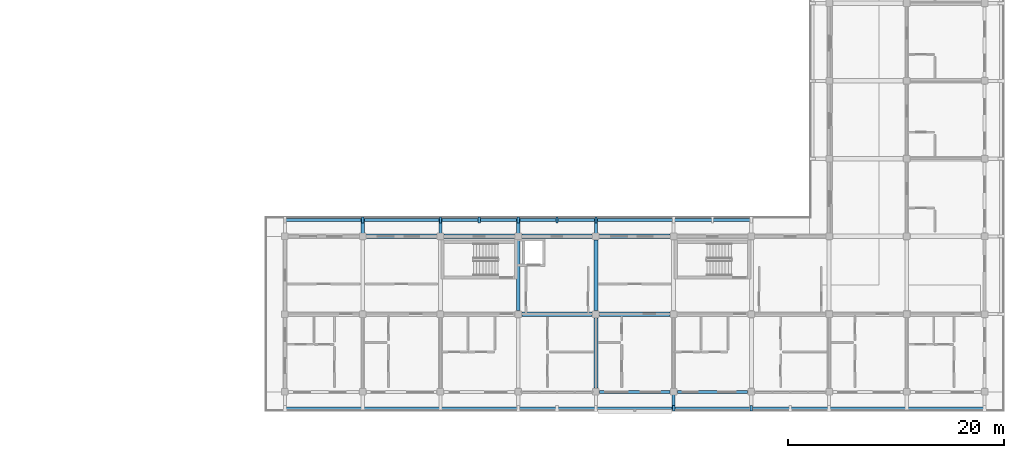
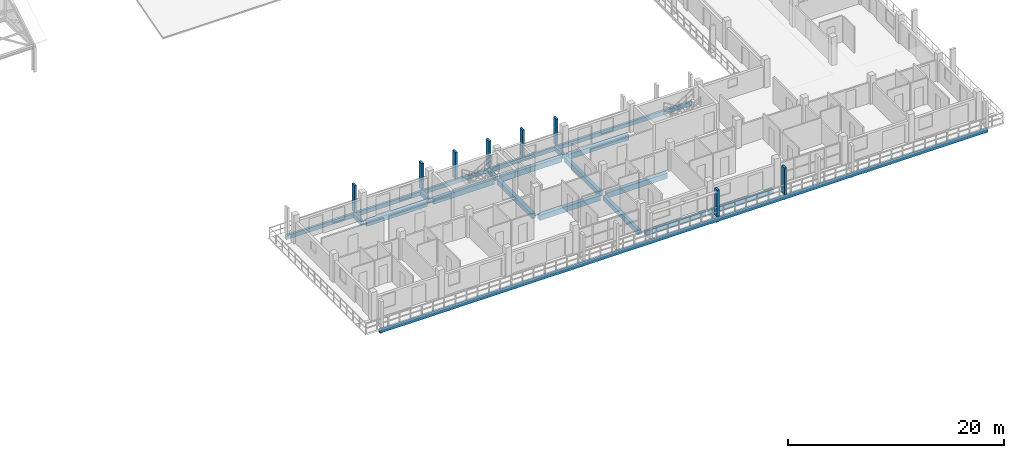
# One storey, part 78 of 157: 18 beams, 8 members.
"""IFC4 building model written with IfcOpenShell, lengths in metres."""

from ifc_helpers import new_model, si_unit, direction, frame, origin, origin_2d, place, context, subcontext, project, spatial, rectangle, extrude, material, material_profile, profile_set, type_object, element, save


model = new_model("IFC4")

# Units and contexts
model_context = context("Model", 3, precision=1e-05, world=origin(), true_north=direction((0.0, 1.0)))
body_context = subcontext(model_context, "Body", "Model", "MODEL_VIEW")
ifc_project = project(units=[si_unit("LENGTHUNIT", "METRE"), si_unit("AREAUNIT", "SQUARE_METRE"), si_unit("VOLUMEUNIT", "CUBIC_METRE"), si_unit("PLANEANGLEUNIT", "RADIAN"), si_unit("MASSUNIT", "GRAM", prefix="KILO")], contexts=[model_context])

# Site, building, storey
site_placement = place(None, origin())
site = spatial("IfcSite", under=ifc_project, at=site_placement, CompositionType="ELEMENT")
building_placement = place(site_placement, origin())
building = spatial("IfcBuilding", under=site, at=building_placement, Name="Suanplinth Sawtooth Commons", CompositionType="ELEMENT")
storey_placement = place(building_placement, frame((0.0, 0.0, 9.0)))
storey = spatial("IfcBuildingStorey", under=building, at=storey_placement, Name="L02", CompositionType="ELEMENT", Elevation=9.0)

# Beams
ifc_material_1 = material(Name="Precast concrete C40/50", Category="concrete")
ifc_material_profile_1 = material_profile(ifc_material_1, rectangle(XDim=0.39990234375, YDim=0.60009765625, at=origin_2d()), Name="PC-GDR 400x600")
ifc_profile_set_1 = profile_set([ifc_material_profile_1], Name="Precast concrete C40/50")
beam_type_1 = type_object("IfcBeamType", Name="B-05", PredefinedType="USERDEFINED", material=ifc_profile_set_1)
for number, where, z_axis, x_axis, name in (
    (1, (129.949951171875, 14.39990234375, -0.550048828125), (1.0, 0.0, 0.0), (0.0, 1.0, 0.0), "BMX-L02-C-18-2"),
    (2, (137.14990234375, 14.39990234375, -0.550048828125), (1.0, 0.0, 0.0), (0.0, 1.0, 0.0), "BMX-L02-C-19-2"),
    (3, (144.35009765625, 7.199951171875, -0.550048828125), (1.0, 0.0, 0.0), (0.0, 1.0, 0.0), "BMX-L02-C-20-1"),
    (4, (144.35009765625, 14.39990234375, -0.550048828125), (1.0, 0.0, 0.0), (0.0, 1.0, 0.0), "BMX-L02-C-20-2"),
    (5, (151.550048828125, 7.199951171875, -0.550048828125), (1.0, 0.0, 0.0), (0.0, 1.0, 0.0), "BMX-L02-C-21-1"),
    (6, (151.550048828125, 14.39990234375, -0.550048828125), (1.0, 0.0, 0.0), (0.0, 1.0, 0.0), "BMX-L02-C-21-2"),
):
    element("IfcBeam", number, at=place(storey_placement, frame(where, z_axis=z_axis, x_axis=x_axis)), inside=storey, type_object=beam_type_1, Name=name, ObjectType="GIRDER", PredefinedType="USERDEFINED", context=body_context, shape_type="SweptSolid", body=[
        extrude(rectangle(XDim=0.39990234375, YDim=0.60009765625, at=origin_2d()), origin(), (0.0, 0.0, 1.0), 6.5),
    ])
ifc_material_profile_2 = material_profile(ifc_material_1, rectangle(XDim=0.35009765625, YDim=0.550048828125, at=origin_2d()), Name="PC-BM 350x550")
ifc_profile_set_2 = profile_set([ifc_material_profile_2], Name="Precast concrete C40/50")
beam_type_2 = type_object("IfcBeamType", Name="B-06", PredefinedType="BEAM", material=ifc_profile_set_2)
for number, where, z_axis, x_axis, name in (
    (7, (144.0, 7.550048828125, -0.52490234375), (0.0, 1.0, 0.0), (-1.0, 0.0, 0.0), "BMY-L02-C-20-1"),
    (8, (151.199951171875, 0.35009765625, -0.52490234375), (0.0, 1.0, 0.0), (-1.0, 0.0, 0.0), "BMY-L02-C-21-0"),
    (9, (151.199951171875, 7.550048828125, -0.52490234375), (0.0, 1.0, 0.0), (-1.0, 0.0, 0.0), "BMY-L02-C-21-1"),
):
    element("IfcBeam", number, at=place(storey_placement, frame(where, z_axis=z_axis, x_axis=x_axis)), inside=storey, type_object=beam_type_2, Name=name, PredefinedType="BEAM", context=body_context, shape_type="SweptSolid", body=[
        extrude(rectangle(XDim=0.35009765625, YDim=0.550048828125, at=origin_2d()), origin(), (0.0, 0.0, 1.0), 6.5),
    ])
ifc_material_profile_3 = material_profile(ifc_material_1, rectangle(XDim=0.300048828125, YDim=0.5, at=origin_2d()), Name="PC-BM 300x500")
ifc_profile_set_3 = profile_set([ifc_material_profile_3], Name="Precast concrete C40/50")
beam_type_3 = type_object("IfcBeamType", Name="B-07", PredefinedType="BEAM", material=ifc_profile_set_3)
beam_1_placement = place(storey_placement, frame((158.39990234375, 0.0, -0.429931640625), z_axis=(0.0, -1.0, 0.0), x_axis=(1.0, 0.0, 0.0)))
element("IfcBeam", 10, at=beam_1_placement, inside=storey, type_object=beam_type_3, Name="Balcony Outrigger L02-C-S-22", PredefinedType="BEAM", context=body_context, shape_type="SweptSolid", body=[
    extrude(rectangle(XDim=0.300048828125, YDim=0.5, at=origin_2d()), origin(), (0.0, 0.0, 1.0), 1.639892578125),
])
for number, where, z_axis, x_axis, name in (
    (11, (129.60009765625, 14.39990234375, -0.425048828125), (0.0, 1.0, 0.0), (-1.0, 0.0, 0.0), "Balcony Outrigger L02-C-NC-18"),
    (12, (136.800048828125, 14.39990234375, -0.425048828125), (0.0, 1.0, 0.0), (-1.0, 0.0, 0.0), "Balcony Outrigger L02-C-NC-19"),
    (13, (144.0, 14.39990234375, -0.425048828125), (0.0, 1.0, 0.0), (-1.0, 0.0, 0.0), "Balcony Outrigger L02-C-NC-20"),
    (14, (151.199951171875, 14.39990234375, -0.425048828125), (0.0, 1.0, 0.0), (-1.0, 0.0, 0.0), "Balcony Outrigger L02-C-NC-21"),
):
    element("IfcBeam", number, at=place(storey_placement, frame(where, z_axis=z_axis, x_axis=x_axis)), inside=storey, type_object=beam_type_3, Name=name, PredefinedType="BEAM", context=body_context, shape_type="SweptSolid", body=[
        extrude(rectangle(XDim=0.300048828125, YDim=0.5, at=origin_2d()), origin(), (0.0, 0.0, 1.0), 1.64013671875),
    ])
ifc_material_profile_4 = material_profile(ifc_material_1, rectangle(XDim=0.280029296875, YDim=0.52001953125, at=origin_2d()), Name="PC-SP 280x520")
ifc_profile_set_4 = profile_set([ifc_material_profile_4], Name="Precast concrete C40/50")
beam_type_4 = type_object("IfcBeamType", Name="B-08", PredefinedType="SPANDREL", material=ifc_profile_set_4)
for number, where, z_axis, x_axis, name in (
    (15, (151.550048828125, 0.0, -0.510009765625), (1.0, 0.0, 0.0), (0.0, 1.0, 0.0), "BMX-L02-C-21-0"),
    (16, (158.75, 0.0, -0.510009765625), (1.0, 0.0, 0.0), (0.0, 1.0, 0.0), "BMX-L02-C-22-0"),
):
    element("IfcBeam", number, at=place(storey_placement, frame(where, z_axis=z_axis, x_axis=x_axis)), inside=storey, type_object=beam_type_4, Name=name, PredefinedType="SPANDREL", context=body_context, shape_type="SweptSolid", body=[
        extrude(rectangle(XDim=0.280029296875, YDim=0.52001953125, at=origin_2d()), origin(), (0.0, 0.0, 1.0), 6.5),
    ])
ifc_material_profile_5 = material_profile(ifc_material_1, rectangle(XDim=0.25, YDim=0.449951171875, at=origin_2d()), Name="PC-SP 250x450")
ifc_profile_set_5 = profile_set([ifc_material_profile_5], Name="Precast concrete C40/50")
beam_type_5 = type_object("IfcBeamType", Name="B-09", PredefinedType="SPANDREL", material=ifc_profile_set_5)
beam_2_placement = place(storey_placement, frame((122.25, -1.52001953125, -0.405029296875), z_axis=(1.0, 0.0, 0.0), x_axis=(0.0, 1.0, 0.0)))
element("IfcBeam", 17, at=beam_2_placement, inside=storey, type_object=beam_type_5, Name="Balcony Edge Fascia L02-C-S", PredefinedType="SPANDREL", context=body_context, shape_type="SweptSolid", body=[
    extrude(rectangle(XDim=0.25, YDim=0.449951171875, at=origin_2d()), origin(), (0.0, 0.0, 1.0), 65.10009765625),
])
beam_3_placement = place(storey_placement, frame((122.25, 15.919921875, -0.39990234375), z_axis=(1.0, 0.0, 0.0), x_axis=(0.0, 1.0, 0.0)))
element("IfcBeam", 18, at=beam_3_placement, inside=storey, type_object=beam_type_5, Name="Balcony Edge Fascia L02-C-NC", PredefinedType="SPANDREL", context=body_context, shape_type="SweptSolid", body=[
    extrude(rectangle(XDim=0.25, YDim=0.449951171875, at=origin_2d()), origin(), (0.0, 0.0, 1.0), 43.5),
])

# Members
ifc_material_2 = material(Name="Pigmented precast concrete C40/50", Category="concrete")
ifc_material_profile_6 = material_profile(ifc_material_2, rectangle(XDim=0.25, YDim=0.5400390625, at=origin_2d()), Name="PC-FIN 250x540")
ifc_profile_set_6 = profile_set([ifc_material_profile_6], Name="Pigmented precast concrete C40/50")
member_type_1 = type_object("IfcMemberType", Name="M-11", PredefinedType="USERDEFINED", material=ifc_profile_set_6)
for number, where, z_axis, x_axis, name in (
    (19, (158.39990234375, -1.52001953125, 0.0), (0.0, 0.0, 1.0), (1.0, 0.0, 0.0), "Upright Solar Blade L02-C-S-05"),
    (20, (165.60009765625, -1.52001953125, 0.0), (0.0, 0.0, 1.0), (1.0, 0.0, 0.0), "Upright Solar Blade L02-C-S-06"),
):
    element("IfcMember", number, at=place(storey_placement, frame(where, z_axis=z_axis, x_axis=x_axis)), inside=storey, type_object=member_type_1, Name=name, ObjectType="SHADING FIN", PredefinedType="USERDEFINED", context=body_context, shape_type="SweptSolid", body=[
        extrude(rectangle(XDim=0.25, YDim=0.5400390625, at=origin_2d()), origin(), (0.0, 0.0, 1.0), 3.030029296875),
    ])
ifc_material_profile_7 = material_profile(ifc_material_2, rectangle(XDim=0.2099609375, YDim=0.52001953125, at=origin_2d()), Name="PC-FIN 210x520")
ifc_profile_set_7 = profile_set([ifc_material_profile_7], Name="Pigmented precast concrete C40/50")
member_type_2 = type_object("IfcMemberType", Name="M-12", PredefinedType="USERDEFINED", material=ifc_profile_set_7)
for number, where, z_axis, x_axis, name in (
    (21, (129.60009765625, 15.919921875, 0.0), (0.0, 0.0, 1.0), (1.0, 0.0, 0.0), "Upright Solar Blade L02-C-NC-17"),
    (22, (136.800048828125, 15.919921875, 0.0), (0.0, 0.0, 1.0), (1.0, 0.0, 0.0), "Upright Solar Blade L02-C-NC-18"),
    (23, (140.39990234375, 15.919921875, 0.0), (0.0, 0.0, 1.0), (1.0, 0.0, 0.0), "Upright Solar Blade L02-C-NC-19"),
    (24, (144.0, 15.919921875, 0.0), (0.0, 0.0, 1.0), (1.0, 0.0, 0.0), "Upright Solar Blade L02-C-NC-20"),
    (25, (147.60009765625, 15.919921875, 0.0), (0.0, 0.0, 1.0), (1.0, 0.0, 0.0), "Upright Solar Blade L02-C-NC-21"),
    (26, (151.199951171875, 15.919921875, 0.0), (0.0, 0.0, 1.0), (1.0, 0.0, 0.0), "Upright Solar Blade L02-C-NC-22"),
):
    element("IfcMember", number, at=place(storey_placement, frame(where, z_axis=z_axis, x_axis=x_axis)), inside=storey, type_object=member_type_2, Name=name, ObjectType="SHADING FIN", PredefinedType="USERDEFINED", context=body_context, shape_type="SweptSolid", body=[
        extrude(rectangle(XDim=0.2099609375, YDim=0.52001953125, at=origin_2d()), origin(), (0.0, 0.0, 1.0), 3.030029296875),
    ])

save(model, "model.ifc")
